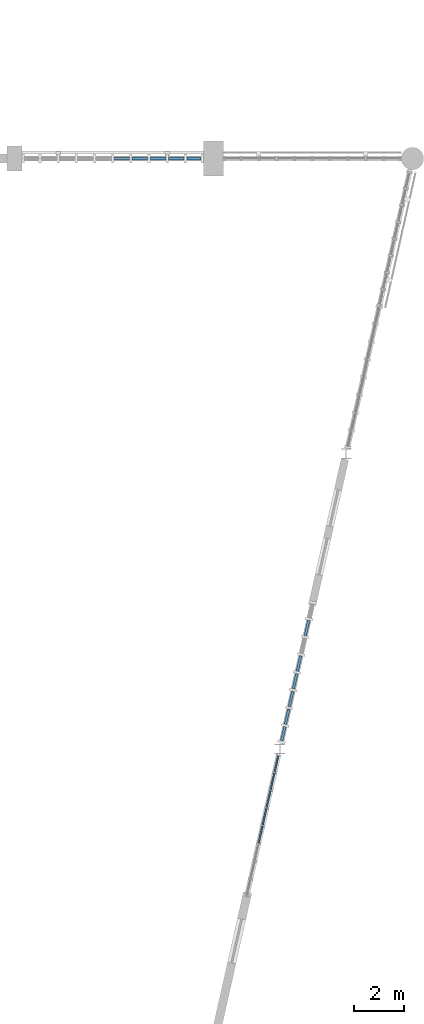
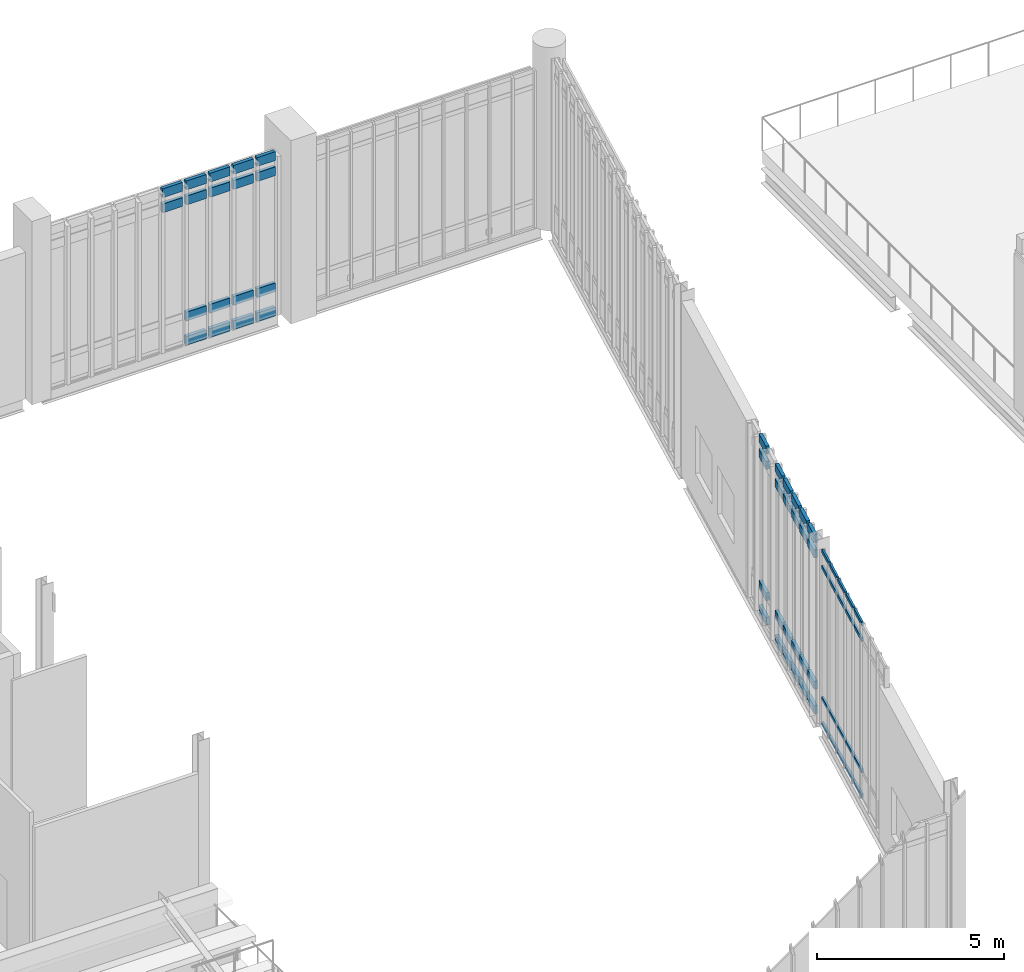
# One storey, part 57 of 135: 62 members, 3 elements without a shape of their own.
"""IFC4 building model written with IfcOpenShell, lengths in metres."""

from ifc_helpers import new_model, si_unit, direction, frame, origin, origin_2d, place, context, subcontext, project, spatial, rectangle, extrude, material, material_profile, profile_set, type_object, element, aggregate, save


model = new_model("IFC4")

# Units and contexts
model_context = context("Model", 3, precision=1e-05, world=origin(), true_north=direction((0.0, 1.0)))
body_context = subcontext(model_context, "Body", "Model", "MODEL_VIEW")
ifc_project = project(units=[si_unit("LENGTHUNIT", "METRE"), si_unit("AREAUNIT", "SQUARE_METRE"), si_unit("VOLUMEUNIT", "CUBIC_METRE"), si_unit("PLANEANGLEUNIT", "RADIAN"), si_unit("MASSUNIT", "GRAM", prefix="KILO")], contexts=[model_context])

# Site, building, storey
site_placement = place(None, origin())
site = spatial("IfcSite", under=ifc_project, at=site_placement, CompositionType="ELEMENT")
building_placement = place(site_placement, origin())
building = spatial("IfcBuilding", under=site, at=building_placement, Name="Larkvane Passage Sports Hall", CompositionType="ELEMENT")
storey_placement = place(building_placement, frame((0.0, 0.0, 10.800048828125)))
storey = spatial("IfcBuildingStorey", under=building, at=storey_placement, Name="L02", CompositionType="ELEMENT", Elevation=10.800048828125)

# Curtain wall, members
ifc_material_1 = material(Name="Thermally broken aluminium and low-E glazing", Category="aluminium")
curtain_wall_type_1 = type_object("IfcCurtainWallType", Name="CW-CLINIC", PredefinedType="USERDEFINED", material=ifc_material_1)
curtain_wall_1_placement = place(storey_placement, origin())
curtain_wall_1 = element("IfcCurtainWall", 1, at=curtain_wall_1_placement, inside=storey, type_object=curtain_wall_type_1, Name="Curtain wall CW5-L02-083", ObjectType="UNITISED CURTAIN WALL", PredefinedType="USERDEFINED")
ifc_material_2 = material(Name="Anodised aluminium 6063-T6", Category="aluminium")
ifc_material_profile_1 = material_profile(ifc_material_2, rectangle(XDim=0.10009765625, YDim=0.260009765625, at=origin_2d()), Name="ALU-TRN-100x260")
ifc_profile_set_1 = profile_set([ifc_material_profile_1], Name="Anodised aluminium 6063-T6")
member_type_1 = type_object("IfcMemberType", Name="CW-TRN-100x260", PredefinedType="USERDEFINED", material=ifc_profile_set_1)
member_1_placement = place(storey_placement, frame((113.828857421875, 80.638671875, 0.050048828125), z_axis=(-0.219226472357, -0.975673999765, 0.0), x_axis=(0.975673999765, -0.219226472357, 0.0)))
member_1 = element("IfcMember", 2, at=member_1_placement, type_object=member_type_1, Name="CW-05 transom 2.1", ObjectType="TRANSOM", PredefinedType="USERDEFINED", context=body_context, shape_type="SweptSolid", body=[
    extrude(rectangle(XDim=0.10009765625, YDim=0.260009765625, at=origin_2d()), origin(), (0.0, 0.0, 1.0), 0.63037109375),
])
member_2_placement = place(storey_placement, frame((113.828857421875, 80.638671875, 0.849853515625), z_axis=(-0.219226472357, -0.975673999765, 0.0), x_axis=(0.975673999765, -0.219226472357, 0.0)))
member_2 = element("IfcMember", 3, at=member_2_placement, type_object=member_type_1, Name="CW-05 transom 2.2", ObjectType="TRANSOM", PredefinedType="USERDEFINED", context=body_context, shape_type="SweptSolid", body=[
    extrude(rectangle(XDim=0.10009765625, YDim=0.260009765625, at=origin_2d()), origin(), (0.0, 0.0, 1.0), 0.63037109375),
])
member_3_placement = place(storey_placement, frame((113.828857421875, 80.638671875, 5.14990234375), z_axis=(-0.219226472357, -0.975673999765, 0.0), x_axis=(0.975673999765, -0.219226472357, 0.0)))
member_3 = element("IfcMember", 4, at=member_3_placement, type_object=member_type_1, Name="CW-05 transom 2.3", ObjectType="TRANSOM", PredefinedType="USERDEFINED", context=body_context, shape_type="SweptSolid", body=[
    extrude(rectangle(XDim=0.10009765625, YDim=0.260009765625, at=origin_2d()), origin(), (0.0, 0.0, 1.0), 0.63037109375),
])
member_4_placement = place(storey_placement, frame((113.828857421875, 80.638671875, 5.64990234375), z_axis=(-0.219226472357, -0.975673999765, 0.0), x_axis=(0.975673999765, -0.219226472357, 0.0)))
member_4 = element("IfcMember", 5, at=member_4_placement, type_object=member_type_1, Name="CW-05 transom 2.4", ObjectType="TRANSOM", PredefinedType="USERDEFINED", context=body_context, shape_type="SweptSolid", body=[
    extrude(rectangle(XDim=0.10009765625, YDim=0.260009765625, at=origin_2d()), origin(), (0.0, 0.0, 1.0), 0.63037109375),
])
member_5_placement = place(storey_placement, frame((113.5087890625, 79.213623046875, 0.050048828125), z_axis=(-0.219226472357, -0.975673999765, 0.0), x_axis=(0.975673999765, -0.219226472357, 0.0)))
member_5 = element("IfcMember", 6, at=member_5_placement, type_object=member_type_1, Name="CW-05 transom 4.1", ObjectType="TRANSOM", PredefinedType="USERDEFINED", context=body_context, shape_type="SweptSolid", body=[
    extrude(rectangle(XDim=0.10009765625, YDim=0.260009765625, at=origin_2d()), origin(), (0.0, 0.0, 1.0), 0.63037109375),
])
member_6_placement = place(storey_placement, frame((113.5087890625, 79.213623046875, 0.849853515625), z_axis=(-0.219226472357, -0.975673999765, 0.0), x_axis=(0.975673999765, -0.219226472357, 0.0)))
member_6 = element("IfcMember", 7, at=member_6_placement, type_object=member_type_1, Name="CW-05 transom 4.2", ObjectType="TRANSOM", PredefinedType="USERDEFINED", context=body_context, shape_type="SweptSolid", body=[
    extrude(rectangle(XDim=0.10009765625, YDim=0.260009765625, at=origin_2d()), origin(), (0.0, 0.0, 1.0), 0.63037109375),
])
member_7_placement = place(storey_placement, frame((113.5087890625, 79.213623046875, 5.14990234375), z_axis=(-0.219226472357, -0.975673999765, 0.0), x_axis=(0.975673999765, -0.219226472357, 0.0)))
member_7 = element("IfcMember", 8, at=member_7_placement, type_object=member_type_1, Name="CW-05 transom 4.3", ObjectType="TRANSOM", PredefinedType="USERDEFINED", context=body_context, shape_type="SweptSolid", body=[
    extrude(rectangle(XDim=0.10009765625, YDim=0.260009765625, at=origin_2d()), origin(), (0.0, 0.0, 1.0), 0.63037109375),
])
member_8_placement = place(storey_placement, frame((113.5087890625, 79.213623046875, 5.64990234375), z_axis=(-0.219226472357, -0.975673999765, 0.0), x_axis=(0.975673999765, -0.219226472357, 0.0)))
member_8 = element("IfcMember", 9, at=member_8_placement, type_object=member_type_1, Name="CW-05 transom 4.4", ObjectType="TRANSOM", PredefinedType="USERDEFINED", context=body_context, shape_type="SweptSolid", body=[
    extrude(rectangle(XDim=0.10009765625, YDim=0.260009765625, at=origin_2d()), origin(), (0.0, 0.0, 1.0), 0.63037109375),
])
member_9_placement = place(storey_placement, frame((113.3486328125, 78.501220703125, 0.050048828125), z_axis=(-0.219226472357, -0.975673999765, 0.0), x_axis=(0.975673999765, -0.219226472357, 0.0)))
member_9 = element("IfcMember", 10, at=member_9_placement, type_object=member_type_1, Name="CW-05 transom 5.1", ObjectType="TRANSOM", PredefinedType="USERDEFINED", context=body_context, shape_type="SweptSolid", body=[
    extrude(rectangle(XDim=0.10009765625, YDim=0.260009765625, at=origin_2d()), origin(), (0.0, 0.0, 1.0), 0.63037109375),
])
member_10_placement = place(storey_placement, frame((113.3486328125, 78.501220703125, 0.849853515625), z_axis=(-0.219226472357, -0.975673999765, 0.0), x_axis=(0.975673999765, -0.219226472357, 0.0)))
member_10 = element("IfcMember", 11, at=member_10_placement, type_object=member_type_1, Name="CW-05 transom 5.2", ObjectType="TRANSOM", PredefinedType="USERDEFINED", context=body_context, shape_type="SweptSolid", body=[
    extrude(rectangle(XDim=0.10009765625, YDim=0.260009765625, at=origin_2d()), origin(), (0.0, 0.0, 1.0), 0.63037109375),
])
member_11_placement = place(storey_placement, frame((113.3486328125, 78.501220703125, 5.14990234375), z_axis=(-0.219226472357, -0.975673999765, 0.0), x_axis=(0.975673999765, -0.219226472357, 0.0)))
member_11 = element("IfcMember", 12, at=member_11_placement, type_object=member_type_1, Name="CW-05 transom 5.3", ObjectType="TRANSOM", PredefinedType="USERDEFINED", context=body_context, shape_type="SweptSolid", body=[
    extrude(rectangle(XDim=0.10009765625, YDim=0.260009765625, at=origin_2d()), origin(), (0.0, 0.0, 1.0), 0.63037109375),
])
member_12_placement = place(storey_placement, frame((113.3486328125, 78.501220703125, 5.64990234375), z_axis=(-0.219226472357, -0.975673999765, 0.0), x_axis=(0.975673999765, -0.219226472357, 0.0)))
member_12 = element("IfcMember", 13, at=member_12_placement, type_object=member_type_1, Name="CW-05 transom 5.4", ObjectType="TRANSOM", PredefinedType="USERDEFINED", context=body_context, shape_type="SweptSolid", body=[
    extrude(rectangle(XDim=0.10009765625, YDim=0.260009765625, at=origin_2d()), origin(), (0.0, 0.0, 1.0), 0.63037109375),
])
member_13_placement = place(storey_placement, frame((113.1884765625, 77.78857421875, 0.050048828125), z_axis=(-0.219226472357, -0.975673999765, 0.0), x_axis=(0.975673999765, -0.219226472357, 0.0)))
member_13 = element("IfcMember", 14, at=member_13_placement, type_object=member_type_1, Name="CW-05 transom 6.1", ObjectType="TRANSOM", PredefinedType="USERDEFINED", context=body_context, shape_type="SweptSolid", body=[
    extrude(rectangle(XDim=0.10009765625, YDim=0.260009765625, at=origin_2d()), origin(), (0.0, 0.0, 1.0), 0.63037109375),
])
member_14_placement = place(storey_placement, frame((113.1884765625, 77.78857421875, 0.849853515625), z_axis=(-0.219226472357, -0.975673999765, 0.0), x_axis=(0.975673999765, -0.219226472357, 0.0)))
member_14 = element("IfcMember", 15, at=member_14_placement, type_object=member_type_1, Name="CW-05 transom 6.2", ObjectType="TRANSOM", PredefinedType="USERDEFINED", context=body_context, shape_type="SweptSolid", body=[
    extrude(rectangle(XDim=0.10009765625, YDim=0.260009765625, at=origin_2d()), origin(), (0.0, 0.0, 1.0), 0.63037109375),
])
member_15_placement = place(storey_placement, frame((113.1884765625, 77.78857421875, 5.14990234375), z_axis=(-0.219226472357, -0.975673999765, 0.0), x_axis=(0.975673999765, -0.219226472357, 0.0)))
member_15 = element("IfcMember", 16, at=member_15_placement, type_object=member_type_1, Name="CW-05 transom 6.3", ObjectType="TRANSOM", PredefinedType="USERDEFINED", context=body_context, shape_type="SweptSolid", body=[
    extrude(rectangle(XDim=0.10009765625, YDim=0.260009765625, at=origin_2d()), origin(), (0.0, 0.0, 1.0), 0.63037109375),
])
member_16_placement = place(storey_placement, frame((113.1884765625, 77.78857421875, 5.64990234375), z_axis=(-0.219226472357, -0.975673999765, 0.0), x_axis=(0.975673999765, -0.219226472357, 0.0)))
member_16 = element("IfcMember", 17, at=member_16_placement, type_object=member_type_1, Name="CW-05 transom 6.4", ObjectType="TRANSOM", PredefinedType="USERDEFINED", context=body_context, shape_type="SweptSolid", body=[
    extrude(rectangle(XDim=0.10009765625, YDim=0.260009765625, at=origin_2d()), origin(), (0.0, 0.0, 1.0), 0.63037109375),
])
member_17_placement = place(storey_placement, frame((113.0283203125, 77.076171875, 0.050048828125), z_axis=(-0.219226472357, -0.975673999765, 0.0), x_axis=(0.975673999765, -0.219226472357, 0.0)))
member_17 = element("IfcMember", 18, at=member_17_placement, type_object=member_type_1, Name="CW-05 transom 7.1", ObjectType="TRANSOM", PredefinedType="USERDEFINED", context=body_context, shape_type="SweptSolid", body=[
    extrude(rectangle(XDim=0.10009765625, YDim=0.260009765625, at=origin_2d()), origin(), (0.0, 0.0, 1.0), 0.63037109375),
])
member_18_placement = place(storey_placement, frame((113.0283203125, 77.076171875, 0.849853515625), z_axis=(-0.219226472357, -0.975673999765, 0.0), x_axis=(0.975673999765, -0.219226472357, 0.0)))
member_18 = element("IfcMember", 19, at=member_18_placement, type_object=member_type_1, Name="CW-05 transom 7.2", ObjectType="TRANSOM", PredefinedType="USERDEFINED", context=body_context, shape_type="SweptSolid", body=[
    extrude(rectangle(XDim=0.10009765625, YDim=0.260009765625, at=origin_2d()), origin(), (0.0, 0.0, 1.0), 0.63037109375),
])
member_19_placement = place(storey_placement, frame((113.0283203125, 77.076171875, 5.14990234375), z_axis=(-0.219226472357, -0.975673999765, 0.0), x_axis=(0.975673999765, -0.219226472357, 0.0)))
member_19 = element("IfcMember", 20, at=member_19_placement, type_object=member_type_1, Name="CW-05 transom 7.3", ObjectType="TRANSOM", PredefinedType="USERDEFINED", context=body_context, shape_type="SweptSolid", body=[
    extrude(rectangle(XDim=0.10009765625, YDim=0.260009765625, at=origin_2d()), origin(), (0.0, 0.0, 1.0), 0.63037109375),
])
member_20_placement = place(storey_placement, frame((113.0283203125, 77.076171875, 5.64990234375), z_axis=(-0.219226472357, -0.975673999765, 0.0), x_axis=(0.975673999765, -0.219226472357, 0.0)))
member_20 = element("IfcMember", 21, at=member_20_placement, type_object=member_type_1, Name="CW-05 transom 7.4", ObjectType="TRANSOM", PredefinedType="USERDEFINED", context=body_context, shape_type="SweptSolid", body=[
    extrude(rectangle(XDim=0.10009765625, YDim=0.260009765625, at=origin_2d()), origin(), (0.0, 0.0, 1.0), 0.63037109375),
])
member_21_placement = place(storey_placement, frame((112.8681640625, 76.363525390625, 0.050048828125), z_axis=(-0.219201827819, -0.975679536877, 0.0), x_axis=(0.975679536877, -0.219201827819, 0.0)))
member_21 = element("IfcMember", 22, at=member_21_placement, type_object=member_type_1, Name="CW-05 transom 8.1", ObjectType="TRANSOM", PredefinedType="USERDEFINED", context=body_context, shape_type="SweptSolid", body=[
    extrude(rectangle(XDim=0.10009765625, YDim=0.260009765625, at=origin_2d()), origin(), (0.0, 0.0, 1.0), 0.580322265625),
])
member_22_placement = place(storey_placement, frame((112.8681640625, 76.363525390625, 0.849853515625), z_axis=(-0.219201827819, -0.975679536877, 0.0), x_axis=(0.975679536877, -0.219201827819, 0.0)))
member_22 = element("IfcMember", 23, at=member_22_placement, type_object=member_type_1, Name="CW-05 transom 8.2", ObjectType="TRANSOM", PredefinedType="USERDEFINED", context=body_context, shape_type="SweptSolid", body=[
    extrude(rectangle(XDim=0.10009765625, YDim=0.260009765625, at=origin_2d()), origin(), (0.0, 0.0, 1.0), 0.580322265625),
])
member_23_placement = place(storey_placement, frame((112.8681640625, 76.363525390625, 5.14990234375), z_axis=(-0.219201827819, -0.975679536877, 0.0), x_axis=(0.975679536877, -0.219201827819, 0.0)))
member_23 = element("IfcMember", 24, at=member_23_placement, type_object=member_type_1, Name="CW-05 transom 8.3", ObjectType="TRANSOM", PredefinedType="USERDEFINED", context=body_context, shape_type="SweptSolid", body=[
    extrude(rectangle(XDim=0.10009765625, YDim=0.260009765625, at=origin_2d()), origin(), (0.0, 0.0, 1.0), 0.580322265625),
])
member_24_placement = place(storey_placement, frame((112.8681640625, 76.363525390625, 5.64990234375), z_axis=(-0.219201827819, -0.975679536877, 0.0), x_axis=(0.975679536877, -0.219201827819, 0.0)))
member_24 = element("IfcMember", 25, at=member_24_placement, type_object=member_type_1, Name="CW-05 transom 8.4", ObjectType="TRANSOM", PredefinedType="USERDEFINED", context=body_context, shape_type="SweptSolid", body=[
    extrude(rectangle(XDim=0.10009765625, YDim=0.260009765625, at=origin_2d()), origin(), (0.0, 0.0, 1.0), 0.580322265625),
])
aggregate(curtain_wall_1, [member_1, member_2, member_3, member_4, member_5, member_6, member_7, member_8, member_9, member_10, member_11, member_12, member_13, member_14, member_15, member_16, member_17, member_18, member_19, member_20, member_21, member_22, member_23, member_24])

curtain_wall_2_placement = place(storey_placement, origin())
curtain_wall_2 = element("IfcCurtainWall", 26, at=curtain_wall_2_placement, inside=storey, type_object=curtain_wall_type_1, Name="Curtain wall CW5-L02-079", ObjectType="UNITISED CURTAIN WALL", PredefinedType="USERDEFINED")
ifc_material_profile_2 = material_profile(ifc_material_2, rectangle(XDim=0.110107421875, YDim=0.2900390625, at=origin_2d()), Name="ALU-TRN-110x290")
ifc_profile_set_2 = profile_set([ifc_material_profile_2], Name="Anodised aluminium 6063-T6")
member_type_2 = type_object("IfcMemberType", Name="CW-TRN-110x290", PredefinedType="USERDEFINED", material=ifc_profile_set_2)
member_25_placement = place(storey_placement, frame((106.0048828125, 99.199951171875, 4.64794921875), z_axis=(1.0, 0.0, 0.0), x_axis=(0.0, 1.0, 0.0)))
member_25 = element("IfcMember", 27, at=member_25_placement, type_object=member_type_2, Name="CW-05 transom 6.3", ObjectType="TRANSOM", PredefinedType="USERDEFINED", context=body_context, shape_type="SweptSolid", body=[
    extrude(rectangle(XDim=0.110107421875, YDim=0.2900390625, at=origin_2d()), origin(), (0.0, 0.0, 1.0), 0.620849609375),
])
member_26_placement = place(storey_placement, frame((106.0048828125, 99.199951171875, 5.14306640625), z_axis=(1.0, 0.0, 0.0), x_axis=(0.0, 1.0, 0.0)))
member_26 = element("IfcMember", 28, at=member_26_placement, type_object=member_type_2, Name="CW-05 transom 6.4", ObjectType="TRANSOM", PredefinedType="USERDEFINED", context=body_context, shape_type="SweptSolid", body=[
    extrude(rectangle(XDim=0.110107421875, YDim=0.2900390625, at=origin_2d()), origin(), (0.0, 0.0, 1.0), 0.620849609375),
])
member_27_placement = place(storey_placement, frame((106.73583984375, 99.199951171875, 0.054931640625), z_axis=(1.0, 0.0, 0.0), x_axis=(0.0, 1.0, 0.0)))
member_27 = element("IfcMember", 29, at=member_27_placement, type_object=member_type_2, Name="CW-05 transom 7.1", ObjectType="TRANSOM", PredefinedType="USERDEFINED", context=body_context, shape_type="SweptSolid", body=[
    extrude(rectangle(XDim=0.110107421875, YDim=0.2900390625, at=origin_2d()), origin(), (0.0, 0.0, 1.0), 0.620849609375),
])
member_28_placement = place(storey_placement, frame((106.73583984375, 99.199951171875, 0.849853515625), z_axis=(1.0, 0.0, 0.0), x_axis=(0.0, 1.0, 0.0)))
member_28 = element("IfcMember", 30, at=member_28_placement, type_object=member_type_2, Name="CW-05 transom 7.2", ObjectType="TRANSOM", PredefinedType="USERDEFINED", context=body_context, shape_type="SweptSolid", body=[
    extrude(rectangle(XDim=0.110107421875, YDim=0.2900390625, at=origin_2d()), origin(), (0.0, 0.0, 1.0), 0.620849609375),
])
member_29_placement = place(storey_placement, frame((106.73583984375, 99.199951171875, 4.64794921875), z_axis=(1.0, 0.0, 0.0), x_axis=(0.0, 1.0, 0.0)))
member_29 = element("IfcMember", 31, at=member_29_placement, type_object=member_type_2, Name="CW-05 transom 7.3", ObjectType="TRANSOM", PredefinedType="USERDEFINED", context=body_context, shape_type="SweptSolid", body=[
    extrude(rectangle(XDim=0.110107421875, YDim=0.2900390625, at=origin_2d()), origin(), (0.0, 0.0, 1.0), 0.620849609375),
])
member_30_placement = place(storey_placement, frame((106.73583984375, 99.199951171875, 5.14306640625), z_axis=(1.0, 0.0, 0.0), x_axis=(0.0, 1.0, 0.0)))
member_30 = element("IfcMember", 32, at=member_30_placement, type_object=member_type_2, Name="CW-05 transom 7.4", ObjectType="TRANSOM", PredefinedType="USERDEFINED", context=body_context, shape_type="SweptSolid", body=[
    extrude(rectangle(XDim=0.110107421875, YDim=0.2900390625, at=origin_2d()), origin(), (0.0, 0.0, 1.0), 0.620849609375),
])
member_31_placement = place(storey_placement, frame((107.466552734375, 99.199951171875, 0.054931640625), z_axis=(1.0, 0.0, 0.0), x_axis=(0.0, 1.0, 0.0)))
member_31 = element("IfcMember", 33, at=member_31_placement, type_object=member_type_2, Name="CW-05 transom 8.1", ObjectType="TRANSOM", PredefinedType="USERDEFINED", context=body_context, shape_type="SweptSolid", body=[
    extrude(rectangle(XDim=0.110107421875, YDim=0.2900390625, at=origin_2d()), origin(), (0.0, 0.0, 1.0), 0.620849609375),
])
member_32_placement = place(storey_placement, frame((107.466552734375, 99.199951171875, 0.849853515625), z_axis=(1.0, 0.0, 0.0), x_axis=(0.0, 1.0, 0.0)))
member_32 = element("IfcMember", 34, at=member_32_placement, type_object=member_type_2, Name="CW-05 transom 8.2", ObjectType="TRANSOM", PredefinedType="USERDEFINED", context=body_context, shape_type="SweptSolid", body=[
    extrude(rectangle(XDim=0.110107421875, YDim=0.2900390625, at=origin_2d()), origin(), (0.0, 0.0, 1.0), 0.620849609375),
])
member_33_placement = place(storey_placement, frame((107.466552734375, 99.199951171875, 4.64794921875), z_axis=(1.0, 0.0, 0.0), x_axis=(0.0, 1.0, 0.0)))
member_33 = element("IfcMember", 35, at=member_33_placement, type_object=member_type_2, Name="CW-05 transom 8.3", ObjectType="TRANSOM", PredefinedType="USERDEFINED", context=body_context, shape_type="SweptSolid", body=[
    extrude(rectangle(XDim=0.110107421875, YDim=0.2900390625, at=origin_2d()), origin(), (0.0, 0.0, 1.0), 0.620849609375),
])
member_34_placement = place(storey_placement, frame((107.466552734375, 99.199951171875, 5.14306640625), z_axis=(1.0, 0.0, 0.0), x_axis=(0.0, 1.0, 0.0)))
member_34 = element("IfcMember", 36, at=member_34_placement, type_object=member_type_2, Name="CW-05 transom 8.4", ObjectType="TRANSOM", PredefinedType="USERDEFINED", context=body_context, shape_type="SweptSolid", body=[
    extrude(rectangle(XDim=0.110107421875, YDim=0.2900390625, at=origin_2d()), origin(), (0.0, 0.0, 1.0), 0.620849609375),
])
member_35_placement = place(storey_placement, frame((108.197509765625, 99.199951171875, 0.054931640625), z_axis=(1.0, 0.0, 0.0), x_axis=(0.0, 1.0, 0.0)))
member_35 = element("IfcMember", 37, at=member_35_placement, type_object=member_type_2, Name="CW-05 transom 9.1", ObjectType="TRANSOM", PredefinedType="USERDEFINED", context=body_context, shape_type="SweptSolid", body=[
    extrude(rectangle(XDim=0.110107421875, YDim=0.2900390625, at=origin_2d()), origin(), (0.0, 0.0, 1.0), 0.62060546875),
])
member_36_placement = place(storey_placement, frame((108.197509765625, 99.199951171875, 0.849853515625), z_axis=(1.0, 0.0, 0.0), x_axis=(0.0, 1.0, 0.0)))
member_36 = element("IfcMember", 38, at=member_36_placement, type_object=member_type_2, Name="CW-05 transom 9.2", ObjectType="TRANSOM", PredefinedType="USERDEFINED", context=body_context, shape_type="SweptSolid", body=[
    extrude(rectangle(XDim=0.110107421875, YDim=0.2900390625, at=origin_2d()), origin(), (0.0, 0.0, 1.0), 0.62060546875),
])
member_37_placement = place(storey_placement, frame((108.197509765625, 99.199951171875, 4.64794921875), z_axis=(1.0, 0.0, 0.0), x_axis=(0.0, 1.0, 0.0)))
member_37 = element("IfcMember", 39, at=member_37_placement, type_object=member_type_2, Name="CW-05 transom 9.3", ObjectType="TRANSOM", PredefinedType="USERDEFINED", context=body_context, shape_type="SweptSolid", body=[
    extrude(rectangle(XDim=0.110107421875, YDim=0.2900390625, at=origin_2d()), origin(), (0.0, 0.0, 1.0), 0.62060546875),
])
member_38_placement = place(storey_placement, frame((108.197509765625, 99.199951171875, 5.14306640625), z_axis=(1.0, 0.0, 0.0), x_axis=(0.0, 1.0, 0.0)))
member_38 = element("IfcMember", 40, at=member_38_placement, type_object=member_type_2, Name="CW-05 transom 9.4", ObjectType="TRANSOM", PredefinedType="USERDEFINED", context=body_context, shape_type="SweptSolid", body=[
    extrude(rectangle(XDim=0.110107421875, YDim=0.2900390625, at=origin_2d()), origin(), (0.0, 0.0, 1.0), 0.62060546875),
])
member_39_placement = place(storey_placement, frame((108.92822265625, 99.199951171875, 0.054931640625), z_axis=(1.0, 0.0, 0.0), x_axis=(0.0, 1.0, 0.0)))
member_39 = element("IfcMember", 41, at=member_39_placement, type_object=member_type_2, Name="CW-05 transom 10.1", ObjectType="TRANSOM", PredefinedType="USERDEFINED", context=body_context, shape_type="SweptSolid", body=[
    extrude(rectangle(XDim=0.110107421875, YDim=0.2900390625, at=origin_2d()), origin(), (0.0, 0.0, 1.0), 0.565673828125),
])
member_40_placement = place(storey_placement, frame((108.92822265625, 99.199951171875, 0.849853515625), z_axis=(1.0, 0.0, 0.0), x_axis=(0.0, 1.0, 0.0)))
member_40 = element("IfcMember", 42, at=member_40_placement, type_object=member_type_2, Name="CW-05 transom 10.2", ObjectType="TRANSOM", PredefinedType="USERDEFINED", context=body_context, shape_type="SweptSolid", body=[
    extrude(rectangle(XDim=0.110107421875, YDim=0.2900390625, at=origin_2d()), origin(), (0.0, 0.0, 1.0), 0.565673828125),
])
member_41_placement = place(storey_placement, frame((108.92822265625, 99.199951171875, 4.64794921875), z_axis=(1.0, 0.0, 0.0), x_axis=(0.0, 1.0, 0.0)))
member_41 = element("IfcMember", 43, at=member_41_placement, type_object=member_type_2, Name="CW-05 transom 10.3", ObjectType="TRANSOM", PredefinedType="USERDEFINED", context=body_context, shape_type="SweptSolid", body=[
    extrude(rectangle(XDim=0.110107421875, YDim=0.2900390625, at=origin_2d()), origin(), (0.0, 0.0, 1.0), 0.565673828125),
])
member_42_placement = place(storey_placement, frame((108.92822265625, 99.199951171875, 5.14306640625), z_axis=(1.0, 0.0, 0.0), x_axis=(0.0, 1.0, 0.0)))
member_42 = element("IfcMember", 44, at=member_42_placement, type_object=member_type_2, Name="CW-05 transom 10.4", ObjectType="TRANSOM", PredefinedType="USERDEFINED", context=body_context, shape_type="SweptSolid", body=[
    extrude(rectangle(XDim=0.110107421875, YDim=0.2900390625, at=origin_2d()), origin(), (0.0, 0.0, 1.0), 0.565673828125),
])
aggregate(curtain_wall_2, [member_25, member_26, member_27, member_28, member_29, member_30, member_31, member_32, member_33, member_34, member_35, member_36, member_37, member_38, member_39, member_40, member_41, member_42])

curtain_wall_type_2 = type_object("IfcCurtainWallType", Name="CW-UNIT-COURT", PredefinedType="USERDEFINED", material=ifc_material_1)
curtain_wall_3_placement = place(storey_placement, origin())
curtain_wall_3 = element("IfcCurtainWall", 45, at=curtain_wall_3_placement, inside=storey, type_object=curtain_wall_type_2, Name="Curtain wall CW5-L02-084", ObjectType="UNITISED CURTAIN WALL", PredefinedType="USERDEFINED")
ifc_material_profile_3 = material_profile(ifc_material_2, rectangle(XDim=0.06005859375, YDim=0.1201171875, at=origin_2d()), Name="ALU-TRN-60x120")
ifc_profile_set_3 = profile_set([ifc_material_profile_3], Name="Anodised aluminium 6063-T6")
member_type_3 = type_object("IfcMemberType", Name="CW-TRN-60x120", PredefinedType="USERDEFINED", material=ifc_profile_set_3)
member_43_placement = place(storey_placement, frame((112.602783203125, 75.182861328125, 0.030029296875), z_axis=(-0.218986545711, -0.975727878457, 0.0), x_axis=(0.975727878457, -0.218986545711, 0.0)))
member_43 = element("IfcMember", 46, at=member_43_placement, type_object=member_type_3, Name="CW-01 transom 1.1", ObjectType="TRANSOM", PredefinedType="USERDEFINED", context=body_context, shape_type="SweptSolid", body=[
    extrude(rectangle(XDim=0.06005859375, YDim=0.1201171875, at=origin_2d()), origin(), (0.0, 0.0, 1.0), 0.64111328125),
])
member_44_placement = place(storey_placement, frame((112.602783203125, 75.182861328125, 0.849853515625), z_axis=(-0.218986545711, -0.975727878457, 0.0), x_axis=(0.975727878457, -0.218986545711, 0.0)))
member_44 = element("IfcMember", 47, at=member_44_placement, type_object=member_type_3, Name="CW-01 transom 1.2", ObjectType="TRANSOM", PredefinedType="USERDEFINED", context=body_context, shape_type="SweptSolid", body=[
    extrude(rectangle(XDim=0.06005859375, YDim=0.1201171875, at=origin_2d()), origin(), (0.0, 0.0, 1.0), 0.64111328125),
])
member_45_placement = place(storey_placement, frame((112.602783203125, 75.182861328125, 5.14990234375), z_axis=(-0.218986545711, -0.975727878457, 0.0), x_axis=(0.975727878457, -0.218986545711, 0.0)))
member_45 = element("IfcMember", 48, at=member_45_placement, type_object=member_type_3, Name="CW-01 transom 1.3", ObjectType="TRANSOM", PredefinedType="USERDEFINED", context=body_context, shape_type="SweptSolid", body=[
    extrude(rectangle(XDim=0.06005859375, YDim=0.1201171875, at=origin_2d()), origin(), (0.0, 0.0, 1.0), 0.64111328125),
])
member_46_placement = place(storey_placement, frame((112.602783203125, 75.182861328125, 5.669921875), z_axis=(-0.218986545711, -0.975727878457, 0.0), x_axis=(0.975727878457, -0.218986545711, 0.0)))
member_46 = element("IfcMember", 49, at=member_46_placement, type_object=member_type_3, Name="CW-01 transom 1.4", ObjectType="TRANSOM", PredefinedType="USERDEFINED", context=body_context, shape_type="SweptSolid", body=[
    extrude(rectangle(XDim=0.06005859375, YDim=0.1201171875, at=origin_2d()), origin(), (0.0, 0.0, 1.0), 0.64111328125),
])
member_47_placement = place(storey_placement, frame((112.44921875, 74.498779296875, 0.030029296875), z_axis=(-0.219356381456, -0.975644801101, 0.0), x_axis=(0.975644801101, -0.219356381456, 0.0)))
member_47 = element("IfcMember", 50, at=member_47_placement, type_object=member_type_3, Name="CW-01 transom 2.1", ObjectType="TRANSOM", PredefinedType="USERDEFINED", context=body_context, shape_type="SweptSolid", body=[
    extrude(rectangle(XDim=0.06005859375, YDim=0.1201171875, at=origin_2d()), origin(), (0.0, 0.0, 1.0), 0.671142578125),
])
member_48_placement = place(storey_placement, frame((112.44921875, 74.498779296875, 0.849853515625), z_axis=(-0.219356381456, -0.975644801101, 0.0), x_axis=(0.975644801101, -0.219356381456, 0.0)))
member_48 = element("IfcMember", 51, at=member_48_placement, type_object=member_type_3, Name="CW-01 transom 2.2", ObjectType="TRANSOM", PredefinedType="USERDEFINED", context=body_context, shape_type="SweptSolid", body=[
    extrude(rectangle(XDim=0.06005859375, YDim=0.1201171875, at=origin_2d()), origin(), (0.0, 0.0, 1.0), 0.671142578125),
])
member_49_placement = place(storey_placement, frame((112.44921875, 74.498779296875, 5.14990234375), z_axis=(-0.219356381456, -0.975644801101, 0.0), x_axis=(0.975644801101, -0.219356381456, 0.0)))
member_49 = element("IfcMember", 52, at=member_49_placement, type_object=member_type_3, Name="CW-01 transom 2.3", ObjectType="TRANSOM", PredefinedType="USERDEFINED", context=body_context, shape_type="SweptSolid", body=[
    extrude(rectangle(XDim=0.06005859375, YDim=0.1201171875, at=origin_2d()), origin(), (0.0, 0.0, 1.0), 0.671142578125),
])
member_50_placement = place(storey_placement, frame((112.44921875, 74.498779296875, 5.669921875), z_axis=(-0.219356381456, -0.975644801101, 0.0), x_axis=(0.975644801101, -0.219356381456, 0.0)))
member_50 = element("IfcMember", 53, at=member_50_placement, type_object=member_type_3, Name="CW-01 transom 2.4", ObjectType="TRANSOM", PredefinedType="USERDEFINED", context=body_context, shape_type="SweptSolid", body=[
    extrude(rectangle(XDim=0.06005859375, YDim=0.1201171875, at=origin_2d()), origin(), (0.0, 0.0, 1.0), 0.671142578125),
])
member_51_placement = place(storey_placement, frame((112.288818359375, 73.78564453125, 0.030029296875), z_axis=(-0.219010068779, -0.975722598782, 0.0), x_axis=(0.975722598782, -0.219010068779, 0.0)))
member_51 = element("IfcMember", 54, at=member_51_placement, type_object=member_type_3, Name="CW-01 transom 3.1", ObjectType="TRANSOM", PredefinedType="USERDEFINED", context=body_context, shape_type="SweptSolid", body=[
    extrude(rectangle(XDim=0.06005859375, YDim=0.1201171875, at=origin_2d()), origin(), (0.0, 0.0, 1.0), 0.671142578125),
])
member_52_placement = place(storey_placement, frame((112.288818359375, 73.78564453125, 0.849853515625), z_axis=(-0.219010068779, -0.975722598782, 0.0), x_axis=(0.975722598782, -0.219010068779, 0.0)))
member_52 = element("IfcMember", 55, at=member_52_placement, type_object=member_type_3, Name="CW-01 transom 3.2", ObjectType="TRANSOM", PredefinedType="USERDEFINED", context=body_context, shape_type="SweptSolid", body=[
    extrude(rectangle(XDim=0.06005859375, YDim=0.1201171875, at=origin_2d()), origin(), (0.0, 0.0, 1.0), 0.671142578125),
])
member_53_placement = place(storey_placement, frame((112.288818359375, 73.78564453125, 5.14990234375), z_axis=(-0.219010068779, -0.975722598782, 0.0), x_axis=(0.975722598782, -0.219010068779, 0.0)))
member_53 = element("IfcMember", 56, at=member_53_placement, type_object=member_type_3, Name="CW-01 transom 3.3", ObjectType="TRANSOM", PredefinedType="USERDEFINED", context=body_context, shape_type="SweptSolid", body=[
    extrude(rectangle(XDim=0.06005859375, YDim=0.1201171875, at=origin_2d()), origin(), (0.0, 0.0, 1.0), 0.671142578125),
])
member_54_placement = place(storey_placement, frame((112.288818359375, 73.78564453125, 5.669921875), z_axis=(-0.219010068779, -0.975722598782, 0.0), x_axis=(0.975722598782, -0.219010068779, 0.0)))
member_54 = element("IfcMember", 57, at=member_54_placement, type_object=member_type_3, Name="CW-01 transom 3.4", ObjectType="TRANSOM", PredefinedType="USERDEFINED", context=body_context, shape_type="SweptSolid", body=[
    extrude(rectangle(XDim=0.06005859375, YDim=0.1201171875, at=origin_2d()), origin(), (0.0, 0.0, 1.0), 0.671142578125),
])
member_55_placement = place(storey_placement, frame((112.128662109375, 73.072265625, 0.030029296875), z_axis=(-0.219356381456, -0.975644801101, 0.0), x_axis=(0.975644801101, -0.219356381456, 0.0)))
member_55 = element("IfcMember", 58, at=member_55_placement, type_object=member_type_3, Name="CW-01 transom 4.1", ObjectType="TRANSOM", PredefinedType="USERDEFINED", context=body_context, shape_type="SweptSolid", body=[
    extrude(rectangle(XDim=0.06005859375, YDim=0.1201171875, at=origin_2d()), origin(), (0.0, 0.0, 1.0), 0.671142578125),
])
member_56_placement = place(storey_placement, frame((112.128662109375, 73.072265625, 0.849853515625), z_axis=(-0.219356381456, -0.975644801101, 0.0), x_axis=(0.975644801101, -0.219356381456, 0.0)))
member_56 = element("IfcMember", 59, at=member_56_placement, type_object=member_type_3, Name="CW-01 transom 4.2", ObjectType="TRANSOM", PredefinedType="USERDEFINED", context=body_context, shape_type="SweptSolid", body=[
    extrude(rectangle(XDim=0.06005859375, YDim=0.1201171875, at=origin_2d()), origin(), (0.0, 0.0, 1.0), 0.671142578125),
])
member_57_placement = place(storey_placement, frame((112.128662109375, 73.072265625, 5.14990234375), z_axis=(-0.219356381456, -0.975644801101, 0.0), x_axis=(0.975644801101, -0.219356381456, 0.0)))
member_57 = element("IfcMember", 60, at=member_57_placement, type_object=member_type_3, Name="CW-01 transom 4.3", ObjectType="TRANSOM", PredefinedType="USERDEFINED", context=body_context, shape_type="SweptSolid", body=[
    extrude(rectangle(XDim=0.06005859375, YDim=0.1201171875, at=origin_2d()), origin(), (0.0, 0.0, 1.0), 0.671142578125),
])
member_58_placement = place(storey_placement, frame((112.128662109375, 73.072265625, 5.669921875), z_axis=(-0.219356381456, -0.975644801101, 0.0), x_axis=(0.975644801101, -0.219356381456, 0.0)))
member_58 = element("IfcMember", 61, at=member_58_placement, type_object=member_type_3, Name="CW-01 transom 4.4", ObjectType="TRANSOM", PredefinedType="USERDEFINED", context=body_context, shape_type="SweptSolid", body=[
    extrude(rectangle(XDim=0.06005859375, YDim=0.1201171875, at=origin_2d()), origin(), (0.0, 0.0, 1.0), 0.671142578125),
])
member_59_placement = place(storey_placement, frame((111.96826171875, 72.359130859375, 0.030029296875), z_axis=(-0.219010068779, -0.975722598782, 0.0), x_axis=(0.975722598782, -0.219010068779, 0.0)))
member_59 = element("IfcMember", 62, at=member_59_placement, type_object=member_type_3, Name="CW-01 transom 5.1", ObjectType="TRANSOM", PredefinedType="USERDEFINED", context=body_context, shape_type="SweptSolid", body=[
    extrude(rectangle(XDim=0.06005859375, YDim=0.1201171875, at=origin_2d()), origin(), (0.0, 0.0, 1.0), 0.671142578125),
])
member_60_placement = place(storey_placement, frame((111.96826171875, 72.359130859375, 0.849853515625), z_axis=(-0.219010068779, -0.975722598782, 0.0), x_axis=(0.975722598782, -0.219010068779, 0.0)))
member_60 = element("IfcMember", 63, at=member_60_placement, type_object=member_type_3, Name="CW-01 transom 5.2", ObjectType="TRANSOM", PredefinedType="USERDEFINED", context=body_context, shape_type="SweptSolid", body=[
    extrude(rectangle(XDim=0.06005859375, YDim=0.1201171875, at=origin_2d()), origin(), (0.0, 0.0, 1.0), 0.671142578125),
])
member_61_placement = place(storey_placement, frame((111.96826171875, 72.359130859375, 5.14990234375), z_axis=(-0.219010068779, -0.975722598782, 0.0), x_axis=(0.975722598782, -0.219010068779, 0.0)))
member_61 = element("IfcMember", 64, at=member_61_placement, type_object=member_type_3, Name="CW-01 transom 5.3", ObjectType="TRANSOM", PredefinedType="USERDEFINED", context=body_context, shape_type="SweptSolid", body=[
    extrude(rectangle(XDim=0.06005859375, YDim=0.1201171875, at=origin_2d()), origin(), (0.0, 0.0, 1.0), 0.671142578125),
])
member_62_placement = place(storey_placement, frame((111.96826171875, 72.359130859375, 5.669921875), z_axis=(-0.219010068779, -0.975722598782, 0.0), x_axis=(0.975722598782, -0.219010068779, 0.0)))
member_62 = element("IfcMember", 65, at=member_62_placement, type_object=member_type_3, Name="CW-01 transom 5.4", ObjectType="TRANSOM", PredefinedType="USERDEFINED", context=body_context, shape_type="SweptSolid", body=[
    extrude(rectangle(XDim=0.06005859375, YDim=0.1201171875, at=origin_2d()), origin(), (0.0, 0.0, 1.0), 0.671142578125),
])
aggregate(curtain_wall_3, [member_43, member_44, member_45, member_46, member_47, member_48, member_49, member_50, member_51, member_52, member_53, member_54, member_55, member_56, member_57, member_58, member_59, member_60, member_61, member_62])

save(model, "model.ifc")
